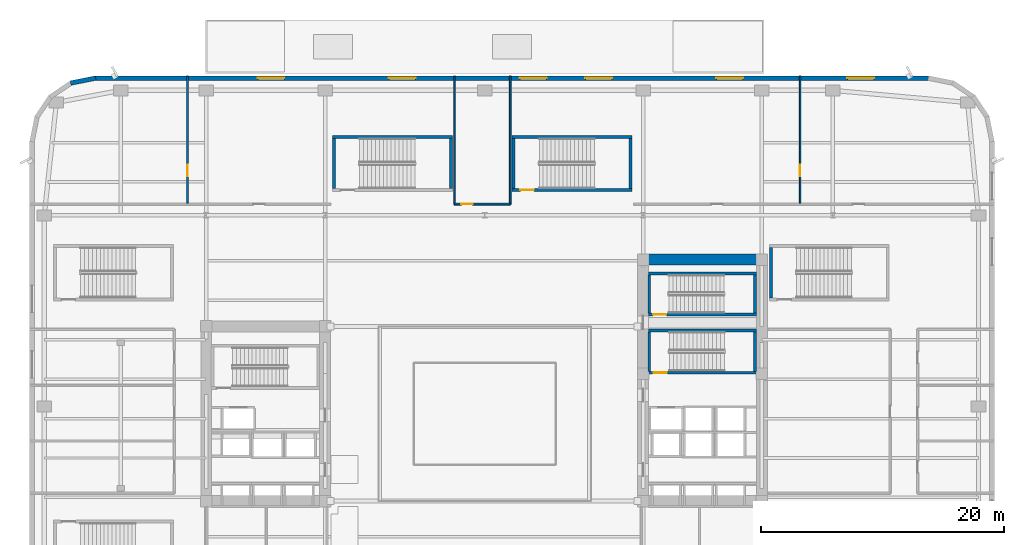
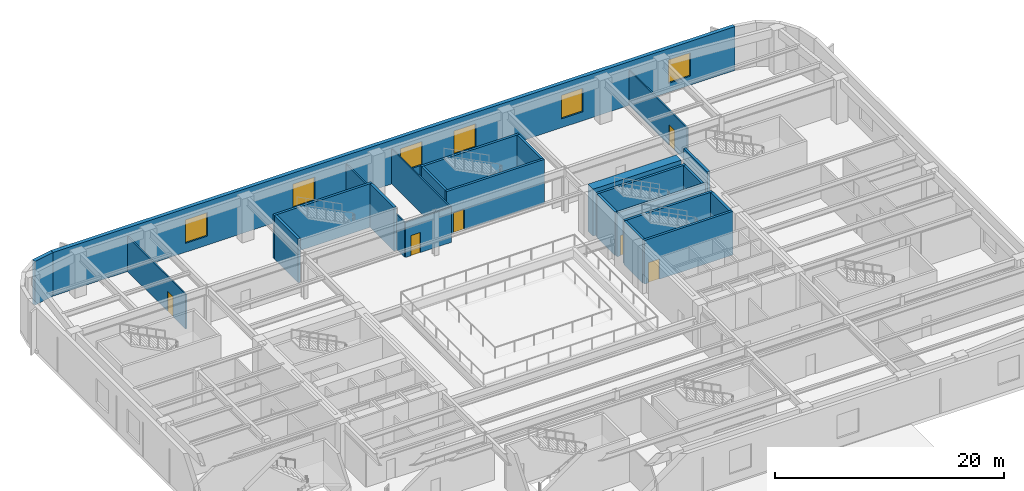
# One storey, part 9 of 24: 24 walls, 6 doors, 6 windows, 12 openings.
"""IFC4 building model written with IfcOpenShell, lengths in metres."""

from ifc_helpers import new_model, si_unit, direction, frame, frame_2d, origin, place, context, subcontext, project, spatial, rectangle, extrude, material, layer, layer_set, type_object, element, fill, save


model = new_model("IFC4")

# Units and contexts
model_context = context("Model", 3, precision=1e-05, world=origin(), true_north=direction((0.0, 1.0)))
body_context = subcontext(model_context, "Body", "Model", "MODEL_VIEW")
ifc_project = project(units=[si_unit("LENGTHUNIT", "METRE"), si_unit("AREAUNIT", "SQUARE_METRE"), si_unit("VOLUMEUNIT", "CUBIC_METRE"), si_unit("PLANEANGLEUNIT", "RADIAN"), si_unit("MASSUNIT", "GRAM", prefix="KILO")], contexts=[model_context])

# Site, building, storey
site_placement = place(None, origin())
site = spatial("IfcSite", under=ifc_project, at=site_placement, CompositionType="ELEMENT")
building_placement = place(site_placement, origin())
building = spatial("IfcBuilding", under=site, at=building_placement, Name="Kolvaren Arena Tower", CompositionType="ELEMENT")
storey_placement = place(building_placement, frame((0.0, 0.0, 8.0)))
storey = spatial("IfcBuildingStorey", under=building, at=storey_placement, Name="L01", CompositionType="ELEMENT", Elevation=8.0)

# Wall, opening, door
ifc_material_1 = material(Name="Gypsum board acoustic assembly", Category="gypsum")
ifc_layer_1 = layer(ifc_material_1, 0.159912109375)
ifc_layer_set_1 = layer_set([ifc_layer_1], Name="Gypsum board acoustic assembly")
wall_type_1 = type_object("IfcWallType", Name="CORR-160", PredefinedType="PARTITIONING", material=ifc_layer_set_1)
wall_1_placement = place(storey_placement, frame((35.0, 43.919921875, 0.0), z_axis=(0.0, 0.0, 1.0), x_axis=(1.0, 0.0, 0.0)))
wall_1 = element("IfcWall", 1, at=wall_1_placement, inside=storey, type_object=wall_type_1, Name="Interior Partition Wall (L01)", PredefinedType="PARTITIONING", context=body_context, shape_type="SweptSolid", body=[
    extrude(rectangle(XDim=4.60009765625, YDim=0.159912109375, at=frame_2d((2.300048828125, 0.0))), origin(), (0.0, 0.0, 1.0), 3.7099609375),
])
opening_1_placement = place(wall_1_placement, frame((0.550048828125, 0.0, 0.0)))
opening_1 = element("IfcOpeningElement", 2, at=opening_1_placement, cuts=wall_1, Name="Opening D05", PredefinedType="OPENING", context=body_context, shape_type="SweptSolid", body=[
    extrude(rectangle(XDim=0.949951171875, YDim=2.14990234375, at=frame_2d((0.47509765625, 1.074951171875))), frame((0.0, 0.08984375, 0.0), z_axis=(0.0, -1.0, 0.0), x_axis=(1.0, 0.0, 0.0)), (0.0, 0.0, 1.0), 0.179931640625),
])
ifc_material_2 = material(Name="Solid-core oak acoustic office door", Category="wood")
door_type_1 = type_object("IfcDoorType", Name="DOOR-OF-095", OperationType="NOTDEFINED", PredefinedType="DOOR", material=ifc_material_2)
door_1_placement = place(opening_1_placement, origin())
door_1 = element("IfcDoor", 3, at=door_1_placement, inside=storey, type_object=door_type_1, Name="North Concourse Lounge Door (L01)", OperationType="SINGLE_SWING_RIGHT", OverallHeight=2.14990234375, OverallWidth=0.949951171875, PredefinedType="DOOR", context=body_context, shape_type="SweptSolid", body=[
    extrude(rectangle(XDim=0.949951171875, YDim=2.14990234375, at=frame_2d((0.47509765625, 1.074951171875))), frame((0.0, 0.02490234375, 0.0), z_axis=(0.0, -1.0, 0.0), x_axis=(1.0, 0.0, 0.0)), (0.0, 0.0, 1.0), 0.050048828125),
])
fill(opening_1, door_1)

# Wall
ifc_material_3 = material(Name="Concrete 80 MPa", Category="concrete")
ifc_layer_2 = layer(ifc_material_3, 0.89990234375)
ifc_layer_set_2 = layer_set([ifc_layer_2], Name="Concrete 80 MPa")
wall_type_2 = type_object("IfcWallType", Name="CWALL-900", PredefinedType="SHEAR", material=ifc_layer_set_2)
wall_2_placement = place(storey_placement, frame((51.0, 39.35009765625, -0.35009765625), z_axis=(0.0, 0.0, 1.0), x_axis=(1.0, 0.0, 0.0)))
element("IfcWall", 4, at=wall_2_placement, inside=storey, type_object=wall_type_2, Name="Core Shear Wall EC-NORTH (L01)", PredefinedType="SHEAR", context=body_context, shape_type="SweptSolid", body=[
    extrude(rectangle(XDim=8.89990234375, YDim=0.89990234375, at=frame_2d((4.449951171875, 0.0))), origin(), (0.0, 0.0, 1.0), 5.0),
])

# Wall, openings, windows
ifc_material_4 = material(Name="Precast concrete C50/60", Category="concrete")
ifc_layer_3 = layer(ifc_material_4, 0.3798828125)
ifc_layer_set_3 = layer_set([ifc_layer_3], Name="Precast concrete C50/60")
wall_type_3 = type_object("IfcWallType", Name="EXT-ARENA", PredefinedType="SOLIDWALL", material=ifc_layer_set_3)
wall_3_placement = place(storey_placement, frame((5.39990234375, 54.31005859375, 0.0), z_axis=(0.0, 0.0, 1.0), x_axis=(1.0, 0.0, 0.0)))
wall_3 = element("IfcWall", 5, at=wall_3_placement, inside=storey, type_object=wall_type_3, Name="Exterior Precast Masonry-Frame Wall (L01)", PredefinedType="SOLIDWALL", context=body_context, shape_type="SweptSolid", body=[
    extrude(rectangle(XDim=68.7001953125, YDim=0.3798828125, at=frame_2d((34.35009765625, 0.0))), origin(), (0.0, 0.0, 1.0), 4.64990234375),
])
opening_2_placement = place(wall_3_placement, frame((13.39990234375, 0.0, 0.949951171875)))
opening_2 = element("IfcOpeningElement", 6, at=opening_2_placement, cuts=wall_3, Name="Opening W07", PredefinedType="OPENING", context=body_context, shape_type="SweptSolid", body=[
    extrude(rectangle(XDim=2.199951171875, YDim=2.5, at=frame_2d((1.10009765625, 1.25))), frame((0.0, 0.199951171875, 0.0), z_axis=(0.0, -1.0, 0.0), x_axis=(1.0, 0.0, 0.0)), (0.0, 0.0, 1.0), 0.39990234375),
])
opening_3_placement = place(wall_3_placement, frame((24.199951171875, 0.0, 0.949951171875)))
opening_3 = element("IfcOpeningElement", 7, at=opening_3_placement, cuts=wall_3, Name="Opening W07", PredefinedType="OPENING", context=body_context, shape_type="SweptSolid", body=[
    extrude(rectangle(XDim=2.199951171875, YDim=2.5, at=frame_2d((1.10009765625, 1.25))), frame((0.0, 0.199951171875, 0.0), z_axis=(0.0, -1.0, 0.0), x_axis=(1.0, 0.0, 0.0)), (0.0, 0.0, 1.0), 0.39990234375),
])
opening_4_placement = place(wall_3_placement, frame((35.0, 0.0, 0.949951171875)))
opening_4 = element("IfcOpeningElement", 8, at=opening_4_placement, cuts=wall_3, Name="Opening W07", PredefinedType="OPENING", context=body_context, shape_type="SweptSolid", body=[
    extrude(rectangle(XDim=2.199951171875, YDim=2.5, at=frame_2d((1.10009765625, 1.25))), frame((0.0, 0.199951171875, 0.0), z_axis=(0.0, -1.0, 0.0), x_axis=(1.0, 0.0, 0.0)), (0.0, 0.0, 1.0), 0.39990234375),
])
opening_5_placement = place(wall_3_placement, frame((40.39990234375, 0.0, 0.949951171875)))
opening_5 = element("IfcOpeningElement", 9, at=opening_5_placement, cuts=wall_3, Name="Opening W07", PredefinedType="OPENING", context=body_context, shape_type="SweptSolid", body=[
    extrude(rectangle(XDim=2.199951171875, YDim=2.5, at=frame_2d((1.10009765625, 1.25))), frame((0.0, 0.199951171875, 0.0), z_axis=(0.0, -1.0, 0.0), x_axis=(1.0, 0.0, 0.0)), (0.0, 0.0, 1.0), 0.39990234375),
])
opening_6_placement = place(wall_3_placement, frame((51.199951171875, 0.0, 0.949951171875)))
opening_6 = element("IfcOpeningElement", 10, at=opening_6_placement, cuts=wall_3, Name="Opening W07", PredefinedType="OPENING", context=body_context, shape_type="SweptSolid", body=[
    extrude(rectangle(XDim=2.199951171875, YDim=2.5, at=frame_2d((1.10009765625, 1.25))), frame((0.0, 0.199951171875, 0.0), z_axis=(0.0, -1.0, 0.0), x_axis=(1.0, 0.0, 0.0)), (0.0, 0.0, 1.0), 0.39990234375),
])
opening_7_placement = place(wall_3_placement, frame((62.0, 0.0, 0.949951171875)))
opening_7 = element("IfcOpeningElement", 11, at=opening_7_placement, cuts=wall_3, Name="Opening W07", PredefinedType="OPENING", context=body_context, shape_type="SweptSolid", body=[
    extrude(rectangle(XDim=2.199951171875, YDim=2.5, at=frame_2d((1.10009765625, 1.25))), frame((0.0, 0.199951171875, 0.0), z_axis=(0.0, -1.0, 0.0), x_axis=(1.0, 0.0, 0.0)), (0.0, 0.0, 1.0), 0.39990234375),
])
ifc_material_5 = material(Name="Triple-glazed arena concourse window", Category="glass")
window_type = type_object("IfcWindowType", Name="WIN-POD-A", PartitioningType="DOUBLE_PANEL_VERTICAL", PredefinedType="WINDOW", material=ifc_material_5)
window_1_placement = place(opening_2_placement, origin())
window_1 = element("IfcWindow", 12, at=window_1_placement, inside=storey, type_object=window_type, Name="Punched Precast-Pier Window (L01)", OverallHeight=2.5, OverallWidth=2.199951171875, PartitioningType="DOUBLE_PANEL_VERTICAL", PredefinedType="WINDOW", context=body_context, shape_type="SweptSolid", body=[
    extrude(rectangle(XDim=2.199951171875, YDim=2.5, at=frame_2d((1.10009765625, 1.25))), frame((0.0, 0.030029296875, 0.0), z_axis=(0.0, -1.0, 0.0), x_axis=(1.0, 0.0, 0.0)), (0.0, 0.0, 1.0), 0.06005859375),
])
fill(opening_2, window_1)
window_2_placement = place(opening_3_placement, origin())
window_2 = element("IfcWindow", 13, at=window_2_placement, inside=storey, type_object=window_type, Name="Punched Precast-Pier Window (L01)", OverallHeight=2.5, OverallWidth=2.199951171875, PartitioningType="DOUBLE_PANEL_VERTICAL", PredefinedType="WINDOW", context=body_context, shape_type="SweptSolid", body=[
    extrude(rectangle(XDim=2.199951171875, YDim=2.5, at=frame_2d((1.10009765625, 1.25))), frame((0.0, 0.030029296875, 0.0), z_axis=(0.0, -1.0, 0.0), x_axis=(1.0, 0.0, 0.0)), (0.0, 0.0, 1.0), 0.06005859375),
])
fill(opening_3, window_2)
window_3_placement = place(opening_4_placement, origin())
window_3 = element("IfcWindow", 14, at=window_3_placement, inside=storey, type_object=window_type, Name="Punched Precast-Pier Window (L01)", OverallHeight=2.5, OverallWidth=2.199951171875, PartitioningType="DOUBLE_PANEL_VERTICAL", PredefinedType="WINDOW", context=body_context, shape_type="SweptSolid", body=[
    extrude(rectangle(XDim=2.199951171875, YDim=2.5, at=frame_2d((1.10009765625, 1.25))), frame((0.0, 0.030029296875, 0.0), z_axis=(0.0, -1.0, 0.0), x_axis=(1.0, 0.0, 0.0)), (0.0, 0.0, 1.0), 0.06005859375),
])
fill(opening_4, window_3)
window_4_placement = place(opening_5_placement, origin())
window_4 = element("IfcWindow", 15, at=window_4_placement, inside=storey, type_object=window_type, Name="Punched Precast-Pier Window (L01)", OverallHeight=2.5, OverallWidth=2.199951171875, PartitioningType="DOUBLE_PANEL_VERTICAL", PredefinedType="WINDOW", context=body_context, shape_type="SweptSolid", body=[
    extrude(rectangle(XDim=2.199951171875, YDim=2.5, at=frame_2d((1.10009765625, 1.25))), frame((0.0, 0.030029296875, 0.0), z_axis=(0.0, -1.0, 0.0), x_axis=(1.0, 0.0, 0.0)), (0.0, 0.0, 1.0), 0.06005859375),
])
fill(opening_5, window_4)
window_5_placement = place(opening_6_placement, origin())
window_5 = element("IfcWindow", 16, at=window_5_placement, inside=storey, type_object=window_type, Name="Punched Precast-Pier Window (L01)", OverallHeight=2.5, OverallWidth=2.199951171875, PartitioningType="DOUBLE_PANEL_VERTICAL", PredefinedType="WINDOW", context=body_context, shape_type="SweptSolid", body=[
    extrude(rectangle(XDim=2.199951171875, YDim=2.5, at=frame_2d((1.10009765625, 1.25))), frame((0.0, 0.030029296875, 0.0), z_axis=(0.0, -1.0, 0.0), x_axis=(1.0, 0.0, 0.0)), (0.0, 0.0, 1.0), 0.06005859375),
])
fill(opening_6, window_5)
window_6_placement = place(opening_7_placement, origin())
window_6 = element("IfcWindow", 17, at=window_6_placement, inside=storey, type_object=window_type, Name="Punched Precast-Pier Window (L01)", OverallHeight=2.5, OverallWidth=2.199951171875, PartitioningType="DOUBLE_PANEL_VERTICAL", PredefinedType="WINDOW", context=body_context, shape_type="SweptSolid", body=[
    extrude(rectangle(XDim=2.199951171875, YDim=2.5, at=frame_2d((1.10009765625, 1.25))), frame((0.0, 0.030029296875, 0.0), z_axis=(0.0, -1.0, 0.0), x_axis=(1.0, 0.0, 0.0)), (0.0, 0.0, 1.0), 0.06005859375),
])
fill(opening_7, window_6)

# Wall
wall_4_placement = place(storey_placement, frame((3.37060546875, 53.902587890625, 0.0), z_axis=(0.0, 0.0, 1.0), x_axis=(0.9807762837, 0.195135546048, 0.0)))
element("IfcWall", 18, at=wall_4_placement, inside=storey, type_object=wall_type_3, Name="Exterior Precast Masonry-Frame Wall (L01)", PredefinedType="SOLIDWALL", context=body_context, shape_type="SweptSolid", body=[
    extrude(rectangle(XDim=2.10693359375, YDim=0.3798828125, at=frame_2d((1.053466796875, 0.0))), origin(), (0.0, 0.0, 1.0), 4.64990234375),
])

# Wall, opening, door
ifc_material_6 = material(Name="Gypsum board partition assembly", Category="gypsum")
ifc_layer_4 = layer(ifc_material_6, 0.135009765625)
ifc_layer_set_4 = layer_set([ifc_layer_4], Name="Gypsum board partition assembly")
wall_type_4 = type_object("IfcWallType", Name="PART-135", PredefinedType="PARTITIONING", material=ifc_layer_set_4)
wall_5_placement = place(storey_placement, frame((13.0, 44.010009765625, 0.0), z_axis=(0.0, 0.0, 1.0), x_axis=(0.0, 1.0, 0.0)))
wall_5 = element("IfcWall", 19, at=wall_5_placement, inside=storey, type_object=wall_type_4, Name="Interior Partition Wall (L01)", PredefinedType="PARTITIONING", context=body_context, shape_type="SweptSolid", body=[
    extrude(rectangle(XDim=10.489990234375, YDim=0.135009765625, at=frame_2d((5.2451171875, 0.0))), origin(), (0.0, 0.0, 1.0), 3.7099609375),
])
opening_8_placement = place(wall_5_placement, frame((2.199951171875, 0.0, 0.0)))
opening_8 = element("IfcOpeningElement", 20, at=opening_8_placement, cuts=wall_5, Name="Opening D05", PredefinedType="OPENING", context=body_context, shape_type="SweptSolid", body=[
    extrude(rectangle(XDim=0.949951171875, YDim=2.14990234375, at=frame_2d((0.47509765625, 1.074951171875))), frame((0.0, 0.077392578125, 0.0), z_axis=(0.0, -1.0, 0.0), x_axis=(1.0, 0.0, 0.0)), (0.0, 0.0, 1.0), 0.155029296875),
])
door_2_placement = place(opening_8_placement, origin())
door_2 = element("IfcDoor", 21, at=door_2_placement, inside=storey, type_object=door_type_1, Name="North-West Spectator Club Connecting Door (L01)", OperationType="SINGLE_SWING_LEFT", OverallHeight=2.14990234375, OverallWidth=0.949951171875, PredefinedType="DOOR", context=body_context, shape_type="SweptSolid", body=[
    extrude(rectangle(XDim=0.949951171875, YDim=2.14990234375, at=frame_2d((0.47509765625, 1.074951171875))), frame((0.0, 0.02490234375, 0.0), z_axis=(0.0, -1.0, 0.0), x_axis=(1.0, 0.0, 0.0)), (0.0, 0.0, 1.0), 0.050048828125),
])
fill(opening_8, door_2)

wall_6_placement = place(storey_placement, frame((63.5, 44.010009765625, 0.0), z_axis=(0.0, 0.0, 1.0), x_axis=(0.0, 1.0, 0.0)))
wall_6 = element("IfcWall", 22, at=wall_6_placement, inside=storey, type_object=wall_type_4, Name="Interior Partition Wall (L01)", PredefinedType="PARTITIONING", context=body_context, shape_type="SweptSolid", body=[
    extrude(rectangle(XDim=10.489990234375, YDim=0.135009765625, at=frame_2d((5.2451171875, 0.0))), origin(), (0.0, 0.0, 1.0), 3.7099609375),
])
opening_9_placement = place(wall_6_placement, frame((2.199951171875, 0.0, 0.0)))
opening_9 = element("IfcOpeningElement", 23, at=opening_9_placement, cuts=wall_6, Name="Opening D05", PredefinedType="OPENING", context=body_context, shape_type="SweptSolid", body=[
    extrude(rectangle(XDim=0.949951171875, YDim=2.14990234375, at=frame_2d((0.47509765625, 1.074951171875))), frame((0.0, 0.077392578125, 0.0), z_axis=(0.0, -1.0, 0.0), x_axis=(1.0, 0.0, 0.0)), (0.0, 0.0, 1.0), 0.155029296875),
])
door_3_placement = place(opening_9_placement, origin())
door_3 = element("IfcDoor", 24, at=door_3_placement, inside=storey, type_object=door_type_1, Name="North-East Sponsor Hall Connecting Door (L01)", OperationType="SINGLE_SWING_LEFT", OverallHeight=2.14990234375, OverallWidth=0.949951171875, PredefinedType="DOOR", context=body_context, shape_type="SweptSolid", body=[
    extrude(rectangle(XDim=0.949951171875, YDim=2.14990234375, at=frame_2d((0.47509765625, 1.074951171875))), frame((0.0, 0.02490234375, 0.0), z_axis=(0.0, -1.0, 0.0), x_axis=(1.0, 0.0, 0.0)), (0.0, 0.0, 1.0), 0.050048828125),
])
fill(opening_9, door_3)

# Walls
for number, where, z_axis, x_axis, name in (
    (25, (35.0, 43.919921875, 0.0), (0.0, 0.0, 1.0), (0.0, 1.0, 0.0), "Interior Partition Wall (L01)"),
    (26, (39.60009765625, 43.919921875, 0.0), (0.0, 0.0, 1.0), (0.0, 1.0, 0.0), "Interior Partition Wall (L01)"),
):
    element("IfcWall", number, at=place(storey_placement, frame(where, z_axis=z_axis, x_axis=x_axis)), inside=storey, type_object=wall_type_4, Name=name, PredefinedType="PARTITIONING", context=body_context, shape_type="SweptSolid", body=[
        extrude(rectangle(XDim=10.580078125, YDim=0.135009765625, at=frame_2d((5.2900390625, 0.0))), origin(), (0.0, 0.0, 1.0), 3.7099609375),
    ])
ifc_material_7 = material(Name="Concrete 45 MPa", Category="concrete")
ifc_layer_5 = layer(ifc_material_7, 0.25)
ifc_layer_set_5 = layer_set([ifc_layer_5], Name="Concrete 45 MPa")
wall_type_5 = type_object("IfcWallType", Name="SHAFT-250", PredefinedType="SOLIDWALL", material=ifc_layer_set_5)
wall_7_placement = place(storey_placement, frame((24.9599609375, 49.469970703125, 0.0), z_axis=(0.0, 0.0, 1.0), x_axis=(1.0, 0.0, 0.0)))
element("IfcWall", 27, at=wall_7_placement, inside=storey, type_object=wall_type_5, Name="Stair ST-A6 Rear Shaft Wall (L01)", PredefinedType="SOLIDWALL", context=body_context, shape_type="SweptSolid", body=[
    extrude(rectangle(XDim=9.880126953125, YDim=0.239990234375, at=frame_2d((4.93994140625, 0.0))), origin(), (0.0, 0.0, 1.0), 4.64990234375),
])
for number, where, z_axis, x_axis, name in (
    (28, (25.080078125, 45.199951171875, 0.0), (0.0, 0.0, 1.0), (0.0, 1.0, 0.0), "Stair ST-A6 West Shaft Wall (L01)"),
    (29, (34.719970703125, 45.199951171875, 0.0), (0.0, 0.0, 1.0), (0.0, 1.0, 0.0), "Stair ST-A6 East Shaft Wall (L01)"),
):
    element("IfcWall", number, at=place(storey_placement, frame(where, z_axis=z_axis, x_axis=x_axis)), inside=storey, type_object=wall_type_5, Name=name, PredefinedType="SOLIDWALL", context=body_context, shape_type="SweptSolid", body=[
        extrude(rectangle(XDim=4.150146484375, YDim=0.239990234375, at=frame_2d((2.0751953125, 0.0))), origin(), (0.0, 0.0, 1.0), 4.64990234375),
    ])

# Wall, opening, door
wall_8_placement = place(storey_placement, frame((49.639892578125, 45.080078125, 0.0), z_axis=(0.0, 0.0, 1.0), x_axis=(-1.0, 0.0, 0.0)))
wall_8 = element("IfcWall", 30, at=wall_8_placement, inside=storey, type_object=wall_type_5, Name="Stair ST-A7 Rated Enclosure Wall (L01)", PredefinedType="SOLIDWALL", context=body_context, shape_type="SweptSolid", body=[
    extrude(rectangle(XDim=9.8798828125, YDim=0.239990234375, at=frame_2d((4.93994140625, 0.0))), origin(), (0.0, 0.0, 1.0), 4.64990234375),
])
opening_10_placement = place(wall_8_placement, frame((8.090087890625, 0.0, 0.0)))
opening_10 = element("IfcOpeningElement", 31, at=opening_10_placement, cuts=wall_8, Name="Opening D03", PredefinedType="OPENING", context=body_context, shape_type="SweptSolid", body=[
    extrude(rectangle(XDim=1.10009765625, YDim=2.14990234375, at=frame_2d((0.550048828125, 1.074951171875))), frame((0.0, 0.1298828125, 0.0), z_axis=(0.0, -1.0, 0.0), x_axis=(1.0, 0.0, 0.0)), (0.0, 0.0, 1.0), 0.260009765625),
])
ifc_material_8 = material(Name="Fire-rated steel exit stair door", Category="steel")
door_type_2 = type_object("IfcDoorType", Name="DOOR-ST-110", OperationType="NOTDEFINED", PredefinedType="DOOR", material=ifc_material_8)
door_4_placement = place(opening_10_placement, origin())
door_4 = element("IfcDoor", 32, at=door_4_placement, inside=storey, type_object=door_type_2, Name="Exit Stair ST-A7 Fire Door (L01)", OperationType="SINGLE_SWING_RIGHT", OverallHeight=2.14990234375, OverallWidth=1.10009765625, PredefinedType="DOOR", context=body_context, shape_type="SweptSolid", body=[
    extrude(rectangle(XDim=1.10009765625, YDim=2.14990234375, at=frame_2d((0.550048828125, 1.074951171875))), frame((0.0, 0.02490234375, 0.0), z_axis=(0.0, -1.0, 0.0), x_axis=(1.0, 0.0, 0.0)), (0.0, 0.0, 1.0), 0.050048828125),
])
fill(opening_10, door_4)

# Walls
wall_9_placement = place(storey_placement, frame((39.760009765625, 49.469970703125, 0.0), z_axis=(0.0, 0.0, 1.0), x_axis=(1.0, 0.0, 0.0)))
element("IfcWall", 33, at=wall_9_placement, inside=storey, type_object=wall_type_5, Name="Stair ST-A7 Rear Shaft Wall (L01)", PredefinedType="SOLIDWALL", context=body_context, shape_type="SweptSolid", body=[
    extrude(rectangle(XDim=9.8798828125, YDim=0.239990234375, at=frame_2d((4.93994140625, 0.0))), origin(), (0.0, 0.0, 1.0), 4.64990234375),
])
for number, where, z_axis, x_axis, name in (
    (34, (39.8798828125, 45.199951171875, 0.0), (0.0, 0.0, 1.0), (0.0, 1.0, 0.0), "Stair ST-A7 West Shaft Wall (L01)"),
    (35, (49.52001953125, 45.199951171875, 0.0), (0.0, 0.0, 1.0), (0.0, 1.0, 0.0), "Stair ST-A7 East Shaft Wall (L01)"),
    (36, (61.080078125, 36.199951171875, 0.0), (0.0, 0.0, 1.0), (0.0, 1.0, 0.0), "Stair ST-A8 West Shaft Wall (L01)"),
):
    element("IfcWall", number, at=place(storey_placement, frame(where, z_axis=z_axis, x_axis=x_axis)), inside=storey, type_object=wall_type_5, Name=name, PredefinedType="SOLIDWALL", context=body_context, shape_type="SweptSolid", body=[
        extrude(rectangle(XDim=4.150146484375, YDim=0.239990234375, at=frame_2d((2.0751953125, 0.0))), origin(), (0.0, 0.0, 1.0), 4.64990234375),
    ])

# Wall, opening, door
wall_10_placement = place(storey_placement, frame((59.89990234375, 30.030029296875, 0.0), z_axis=(0.0, 0.0, 1.0), x_axis=(-1.0, 0.0, 0.0)))
wall_10 = element("IfcWall", 37, at=wall_10_placement, inside=storey, type_object=wall_type_5, Name="Core Shaft Wall (L01)", PredefinedType="SOLIDWALL", context=body_context, shape_type="SweptSolid", body=[
    extrude(rectangle(XDim=8.89990234375, YDim=0.239990234375, at=frame_2d((4.449951171875, 0.0))), origin(), (0.0, 0.0, 1.0), 4.64990234375),
])
opening_11_placement = place(wall_10_placement, frame((7.3798828125, 0.0, 0.0)))
opening_11 = element("IfcOpeningElement", 38, at=opening_11_placement, cuts=wall_10, Name="Opening D03", PredefinedType="OPENING", context=body_context, shape_type="SweptSolid", body=[
    extrude(rectangle(XDim=1.10009765625, YDim=2.14990234375, at=frame_2d((0.550048828125, 1.074951171875))), frame((0.0, 0.1298828125, 0.0), z_axis=(0.0, -1.0, 0.0), x_axis=(1.0, 0.0, 0.0)), (0.0, 0.0, 1.0), 0.260009765625),
])
door_5_placement = place(opening_11_placement, origin())
door_5 = element("IfcDoor", 39, at=door_5_placement, inside=storey, type_object=door_type_2, Name="Stair ST-E1 Fire Door (L01)", OperationType="SINGLE_SWING_LEFT", OverallHeight=2.14990234375, OverallWidth=1.10009765625, PredefinedType="DOOR", context=body_context, shape_type="SweptSolid", body=[
    extrude(rectangle(XDim=1.10009765625, YDim=2.14990234375, at=frame_2d((0.550048828125, 1.074951171875))), frame((0.0, 0.02490234375, 0.0), z_axis=(0.0, -1.0, 0.0), x_axis=(1.0, 0.0, 0.0)), (0.0, 0.0, 1.0), 0.050048828125),
])
fill(opening_11, door_5)

# Walls
wall_11_placement = place(storey_placement, frame((51.0, 33.5, 0.0), z_axis=(0.0, 0.0, 1.0), x_axis=(1.0, 0.0, 0.0)))
element("IfcWall", 40, at=wall_11_placement, inside=storey, type_object=wall_type_5, Name="Core Shaft Wall (L01)", PredefinedType="SOLIDWALL", context=body_context, shape_type="SweptSolid", body=[
    extrude(rectangle(XDim=8.89990234375, YDim=0.239990234375, at=frame_2d((4.449951171875, 0.0))), origin(), (0.0, 0.0, 1.0), 4.64990234375),
])
for number, where, z_axis, x_axis, name in (
    (41, (51.06005859375, 30.14990234375, 0.0), (0.0, 0.0, 1.0), (0.0, 1.0, 0.0), "Core Shaft Wall (L01)"),
    (42, (59.780029296875, 30.14990234375, 0.0), (0.0, 0.0, 1.0), (0.0, 1.0, 0.0), "Core Shaft Wall (L01)"),
):
    element("IfcWall", number, at=place(storey_placement, frame(where, z_axis=z_axis, x_axis=x_axis)), inside=storey, type_object=wall_type_5, Name=name, PredefinedType="SOLIDWALL", context=body_context, shape_type="SweptSolid", body=[
        extrude(rectangle(XDim=3.22998046875, YDim=0.239990234375, at=frame_2d((1.614990234375, 0.0))), origin(), (0.0, 0.0, 1.0), 4.64990234375),
    ])

# Wall, opening, door
wall_12_placement = place(storey_placement, frame((59.89990234375, 34.830078125, 0.0), z_axis=(0.0, 0.0, 1.0), x_axis=(-1.0, 0.0, 0.0)))
wall_12 = element("IfcWall", 43, at=wall_12_placement, inside=storey, type_object=wall_type_5, Name="Core Shaft Wall (L01)", PredefinedType="SOLIDWALL", context=body_context, shape_type="SweptSolid", body=[
    extrude(rectangle(XDim=8.89990234375, YDim=0.239990234375, at=frame_2d((4.449951171875, 0.0))), origin(), (0.0, 0.0, 1.0), 4.64990234375),
])
opening_12_placement = place(wall_12_placement, frame((7.419921875, 0.0, 0.0)))
opening_12 = element("IfcOpeningElement", 44, at=opening_12_placement, cuts=wall_12, Name="Opening D03", PredefinedType="OPENING", context=body_context, shape_type="SweptSolid", body=[
    extrude(rectangle(XDim=1.10009765625, YDim=2.14990234375, at=frame_2d((0.550048828125, 1.074951171875))), frame((0.0, 0.1298828125, 0.0), z_axis=(0.0, -1.0, 0.0), x_axis=(1.0, 0.0, 0.0)), (0.0, 0.0, 1.0), 0.260009765625),
])
door_6_placement = place(opening_12_placement, origin())
door_6 = element("IfcDoor", 45, at=door_6_placement, inside=storey, type_object=door_type_2, Name="Stair ST-E2 Fire Door (L01)", OperationType="SINGLE_SWING_LEFT", OverallHeight=2.14990234375, OverallWidth=1.10009765625, PredefinedType="DOOR", context=body_context, shape_type="SweptSolid", body=[
    extrude(rectangle(XDim=1.10009765625, YDim=2.14990234375, at=frame_2d((0.550048828125, 1.074951171875))), frame((0.0, 0.02490234375, 0.0), z_axis=(0.0, -1.0, 0.0), x_axis=(1.0, 0.0, 0.0)), (0.0, 0.0, 1.0), 0.050048828125),
])
fill(opening_12, door_6)

# Walls
wall_13_placement = place(storey_placement, frame((51.0, 38.219970703125, 0.0), z_axis=(0.0, 0.0, 1.0), x_axis=(1.0, 0.0, 0.0)))
element("IfcWall", 46, at=wall_13_placement, inside=storey, type_object=wall_type_5, Name="Core Shaft Wall (L01)", PredefinedType="SOLIDWALL", context=body_context, shape_type="SweptSolid", body=[
    extrude(rectangle(XDim=8.89990234375, YDim=0.239990234375, at=frame_2d((4.449951171875, 0.0))), origin(), (0.0, 0.0, 1.0), 4.64990234375),
])
for number, where, z_axis, x_axis, name in (
    (47, (51.06005859375, 34.949951171875, 0.0), (0.0, 0.0, 1.0), (0.0, 1.0, 0.0), "Core Shaft Wall (L01)"),
    (48, (59.780029296875, 34.949951171875, 0.0), (0.0, 0.0, 1.0), (0.0, 1.0, 0.0), "Core Shaft Wall (L01)"),
):
    element("IfcWall", number, at=place(storey_placement, frame(where, z_axis=z_axis, x_axis=x_axis)), inside=storey, type_object=wall_type_5, Name=name, PredefinedType="SOLIDWALL", context=body_context, shape_type="SweptSolid", body=[
        extrude(rectangle(XDim=3.150146484375, YDim=0.239990234375, at=frame_2d((1.5751953125, 0.0))), origin(), (0.0, 0.0, 1.0), 4.64990234375),
    ])

save(model, "model.ifc")
